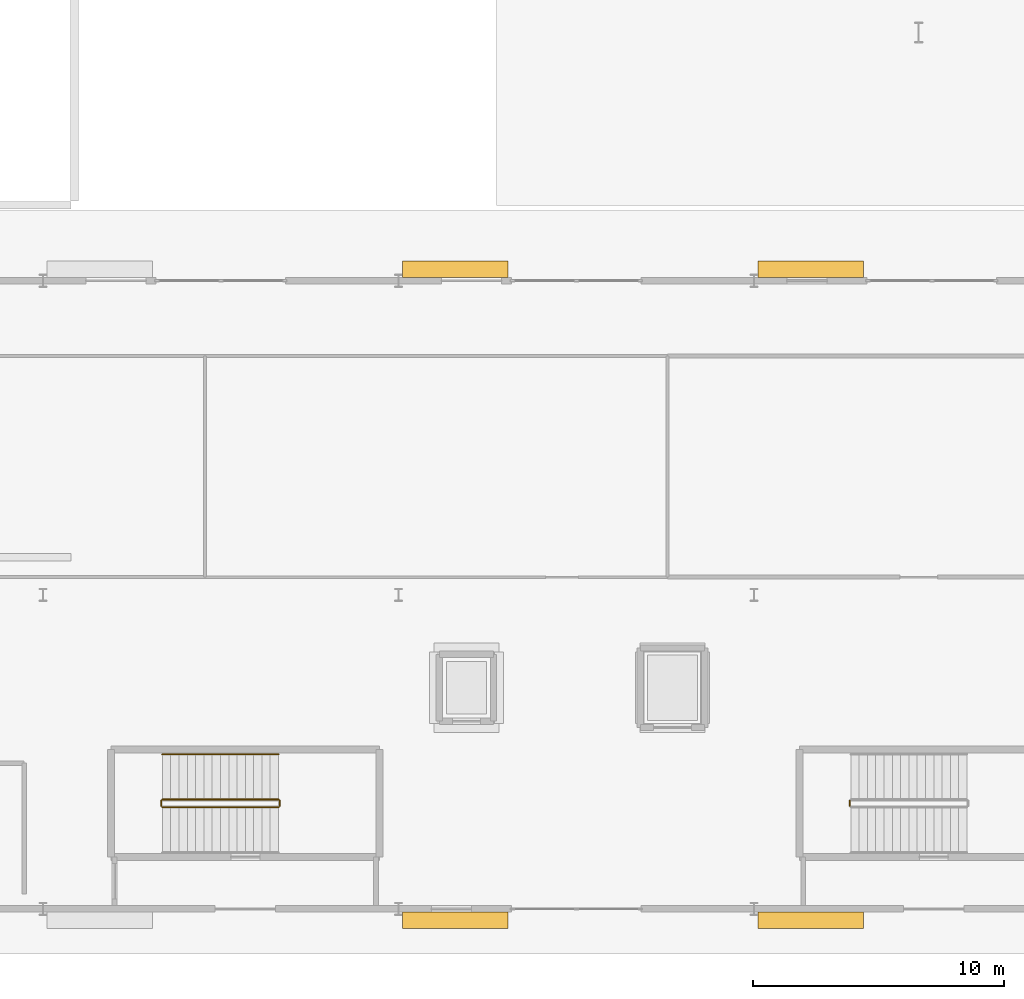
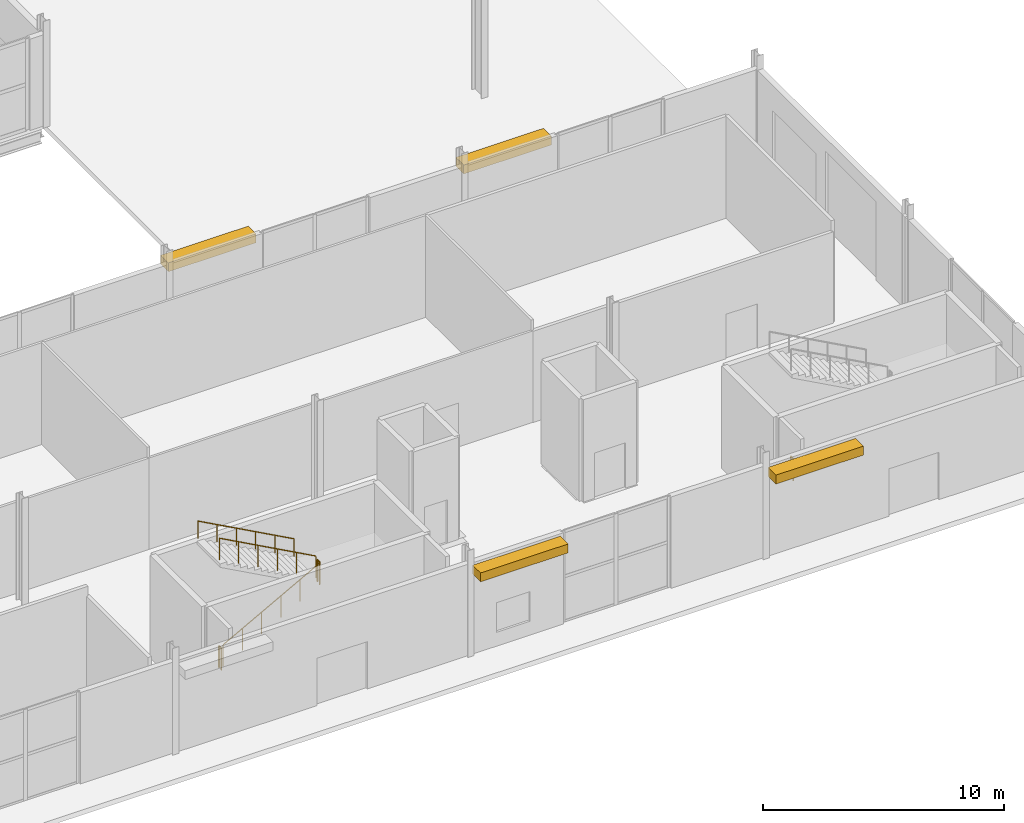
# One storey, part 82 of 87: 6 railings, 4 shading devices.
"""IFC4 building model written with IfcOpenShell, lengths in metres."""

from ifc_helpers import new_model, si_unit, direction, frame, origin, origin_2d, place, context, subcontext, project, spatial, rectangle, circle, extrude, material, type_object, element, save


model = new_model("IFC4")

# Units and contexts
model_context = context("Model", 3, precision=1e-05, world=origin(), true_north=direction((0.0, 1.0)))
body_context = subcontext(model_context, "Body", "Model", "MODEL_VIEW")
ifc_project = project(units=[si_unit("LENGTHUNIT", "METRE"), si_unit("AREAUNIT", "SQUARE_METRE"), si_unit("VOLUMEUNIT", "CUBIC_METRE"), si_unit("PLANEANGLEUNIT", "RADIAN"), si_unit("MASSUNIT", "GRAM", prefix="KILO")], contexts=[model_context])

# Site, building, storey
site_placement = place(None, origin())
site = spatial("IfcSite", under=ifc_project, at=site_placement, CompositionType="ELEMENT")
building_placement = place(site_placement, origin())
building = spatial("IfcBuilding", under=site, at=building_placement, Name="Kimbaza Rail Terminus", CompositionType="ELEMENT")
storey_placement = place(building_placement, origin())
storey = spatial("IfcBuildingStorey", under=building, at=storey_placement, Name="L00", CompositionType="ELEMENT", Elevation=0.0)

# Railings
ifc_material_1 = material(Name="Brushed stainless steel handrail", Category="steel")
railing_type_1 = type_object("IfcRailingType", Name="ARC-RL-HND92", PredefinedType="HANDRAIL", material=ifc_material_1)
railing_1_placement = place(storey_placement, frame((180.919921875, 19.14990234375, 2.8798828125)))
element("IfcRailing", 1, at=railing_1_placement, inside=storey, type_object=railing_type_1, Name="L00 ST-P1 stair handrail 2", PredefinedType="HANDRAIL", context=body_context, shape_type="SweptSolid", body=[
    extrude(circle(Radius=0.02392578125, at=origin_2d()), frame((0.0, 0.0, 0.8759765625), z_axis=(-0.877888480945, 0.0, 0.478865132395), x_axis=(0.0, -1.0, 0.0)), (0.0, 0.0, 1.0), 5.262451171875),
    extrude(circle(Radius=0.02099609375, at=origin_2d()), origin(), (0.0, 0.0, 1.0), 0.851806640625),
    extrude(circle(Radius=0.02099609375, at=origin_2d()), frame((-0.924072265625, 0.0, 0.50390625)), (0.0, 0.0, 1.0), 0.851806640625),
    extrude(circle(Radius=0.02099609375, at=origin_2d()), frame((-1.847900390625, 0.0, 1.008056640625)), (0.0, 0.0, 1.0), 0.851806640625),
    extrude(circle(Radius=0.02099609375, at=origin_2d()), frame((-2.77197265625, 0.0, 1.511962890625)), (0.0, 0.0, 1.0), 0.851806640625),
    extrude(circle(Radius=0.02099609375, at=origin_2d()), frame((-3.69580078125, 0.0, 2.01611328125)), (0.0, 0.0, 1.0), 0.851806640625),
    extrude(circle(Radius=0.02099609375, at=origin_2d()), frame((-4.619873046875, 0.0, 2.52001953125)), (0.0, 0.0, 1.0), 0.851806640625),
])
ifc_material_2 = material(Name="Painted tubular steel stair well guard", Category="steel")
railing_type_2 = type_object("IfcRailingType", Name="ARC-RL-STGRD", PredefinedType="GUARDRAIL", material=ifc_material_2)
railing_2_placement = place(storey_placement, frame((176.300048828125, 17.050048828125, 0.179931640625)))
element("IfcRailing", 2, at=railing_2_placement, inside=storey, type_object=railing_type_2, Name="L00 ST-P1 stair guard 1", PredefinedType="GUARDRAIL", context=body_context, shape_type="SweptSolid", body=[
    extrude(circle(Radius=0.02392578125, at=origin_2d()), frame((0.0, 0.0, 1.09619140625), z_axis=(0.877888480945, 0.0, 0.478865132395), x_axis=(0.0, 1.0, 0.0)), (0.0, 0.0, 1.0), 5.262451171875),
    extrude(circle(Radius=0.02099609375, at=origin_2d()), origin(), (0.0, 0.0, 1.0), 1.072021484375),
    extrude(circle(Radius=0.02099609375, at=origin_2d()), frame((0.924072265625, 0.0, 0.50390625)), (0.0, 0.0, 1.0), 1.072021484375),
    extrude(circle(Radius=0.02099609375, at=origin_2d()), frame((1.847900390625, 0.0, 1.008056640625)), (0.0, 0.0, 1.0), 1.072021484375),
    extrude(circle(Radius=0.02099609375, at=origin_2d()), frame((2.77197265625, 0.0, 1.511962890625)), (0.0, 0.0, 1.0), 1.072021484375),
    extrude(circle(Radius=0.02099609375, at=origin_2d()), frame((3.69580078125, 0.0, 2.01611328125)), (0.0, 0.0, 1.0), 1.072021484375),
    extrude(circle(Radius=0.02099609375, at=origin_2d()), frame((4.619873046875, 0.0, 2.52001953125)), (0.0, 0.0, 1.0), 1.072021484375),
])
railing_3_placement = place(storey_placement, frame((180.969970703125, 17.10009765625, 2.699951171875)))
element("IfcRailing", 3, at=railing_3_placement, inside=storey, type_object=railing_type_2, Name="L00 ST-P1 stair guard 2", PredefinedType="GUARDRAIL", context=body_context, shape_type="SweptSolid", body=[
    extrude(circle(Radius=0.02392578125, at=origin_2d()), frame((0.0, 0.0, 1.09619140625), z_axis=(0.0, 1.0, 0.0), x_axis=(-1.0, 0.0, 0.0)), (0.0, 0.0, 1.0), 0.199951171875),
    extrude(circle(Radius=0.02099609375, at=origin_2d()), origin(), (0.0, 0.0, 1.0), 1.072021484375),
    extrude(circle(Radius=0.02099609375, at=origin_2d()), frame((0.0, 0.199951171875, 0.0)), (0.0, 0.0, 1.0), 1.072021484375),
])
railing_4_placement = place(storey_placement, frame((180.919921875, 17.35009765625, 2.8798828125)))
element("IfcRailing", 4, at=railing_4_placement, inside=storey, type_object=railing_type_2, Name="L00 ST-P1 stair guard 3", PredefinedType="GUARDRAIL", context=body_context, shape_type="SweptSolid", body=[
    extrude(circle(Radius=0.02392578125, at=origin_2d()), frame((0.0, 0.0, 1.09619140625), z_axis=(-0.877888480945, 0.0, 0.478865132395), x_axis=(0.0, -1.0, 0.0)), (0.0, 0.0, 1.0), 5.262451171875),
    extrude(circle(Radius=0.02099609375, at=origin_2d()), origin(), (0.0, 0.0, 1.0), 1.072021484375),
    extrude(circle(Radius=0.02099609375, at=origin_2d()), frame((-0.924072265625, 0.0, 0.50390625)), (0.0, 0.0, 1.0), 1.072021484375),
    extrude(circle(Radius=0.02099609375, at=origin_2d()), frame((-1.847900390625, 0.0, 1.008056640625)), (0.0, 0.0, 1.0), 1.072021484375),
    extrude(circle(Radius=0.02099609375, at=origin_2d()), frame((-2.77197265625, 0.0, 1.511962890625)), (0.0, 0.0, 1.0), 1.072021484375),
    extrude(circle(Radius=0.02099609375, at=origin_2d()), frame((-3.69580078125, 0.0, 2.01611328125)), (0.0, 0.0, 1.0), 1.072021484375),
    extrude(circle(Radius=0.02099609375, at=origin_2d()), frame((-4.619873046875, 0.0, 2.52001953125)), (0.0, 0.0, 1.0), 1.072021484375),
])
for number, where, name in (
    (5, (176.25, 17.10009765625, 0.0), "L00 ST-P1 stair guard 4"),
    (6, (203.64990234375, 17.10009765625, 0.0), "L00 ST-P2 stair guard 4"),
):
    element("IfcRailing", number, at=place(storey_placement, frame(where)), inside=storey, type_object=railing_type_2, Name=name, PredefinedType="GUARDRAIL", context=body_context, shape_type="SweptSolid", body=[
        extrude(circle(Radius=0.02392578125, at=origin_2d()), frame((0.0, 0.0, 1.09619140625), z_axis=(0.0, 1.0, 0.0), x_axis=(-1.0, 0.0, 0.0)), (0.0, 0.0, 1.0), 0.199951171875),
        extrude(circle(Radius=0.02099609375, at=origin_2d()), origin(), (0.0, 0.0, 1.0), 1.072021484375),
        extrude(circle(Radius=0.02099609375, at=origin_2d()), frame((0.0, 0.199951171875, 0.0)), (0.0, 0.0, 1.0), 1.072021484375),
    ])

# Shading devices
ifc_material_3 = material(Name="Perforated champagne anodised aluminium louvre", Category="aluminium")
shading_device_type = type_object("IfcShadingDeviceType", Name="ARC-SHD-LVR1", PredefinedType="JALOUSIE", material=ifc_material_3)
for number, where, z_axis, x_axis, name in (
    (7, (187.949951171875, 38.452880859375, 4.0498046875), (0.0, 0.0, 1.0), (1.0, 0.0, 0.0), "Pavilion Veranda Louvre L00.3"),
    (8, (202.10009765625, 38.452880859375, 4.0498046875), (0.0, 0.0, 1.0), (1.0, 0.0, 0.0), "Pavilion Veranda Louvre L00.4"),
    (9, (187.949951171875, 12.547119140625, 4.0498046875), (0.0, 0.0, 1.0), (1.0, 0.0, 0.0), "Pavilion Veranda Louvre L00.3"),
    (10, (202.10009765625, 12.547119140625, 4.0498046875), (0.0, 0.0, 1.0), (1.0, 0.0, 0.0), "Pavilion Veranda Louvre L00.4"),
):
    element("IfcShadingDevice", number, at=place(storey_placement, frame(where, z_axis=z_axis, x_axis=x_axis)), inside=storey, type_object=shading_device_type, Name=name, PredefinedType="JALOUSIE", context=body_context, shape_type="SweptSolid", body=[
        extrude(rectangle(XDim=4.199951171875, YDim=0.64990234375, at=origin_2d()), origin(), (0.0, 0.0, 1.0), 0.449951171875),
    ])

save(model, "model.ifc")
